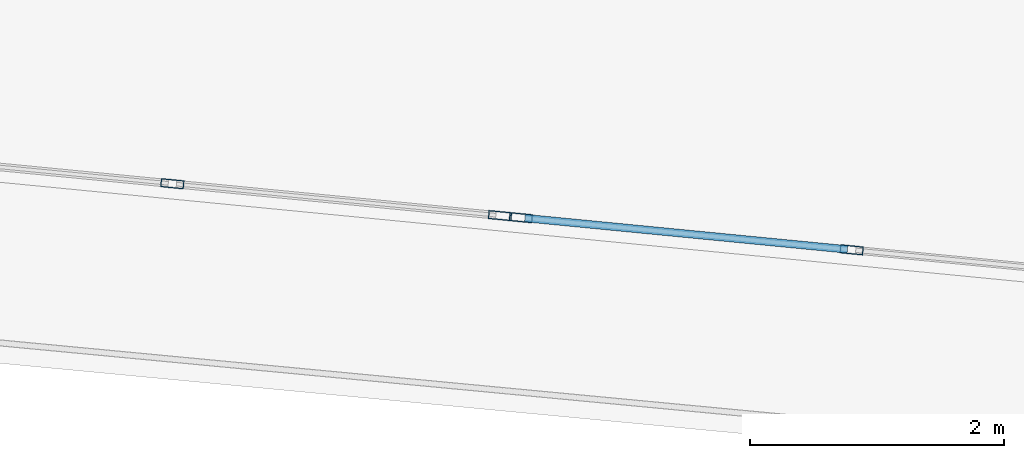
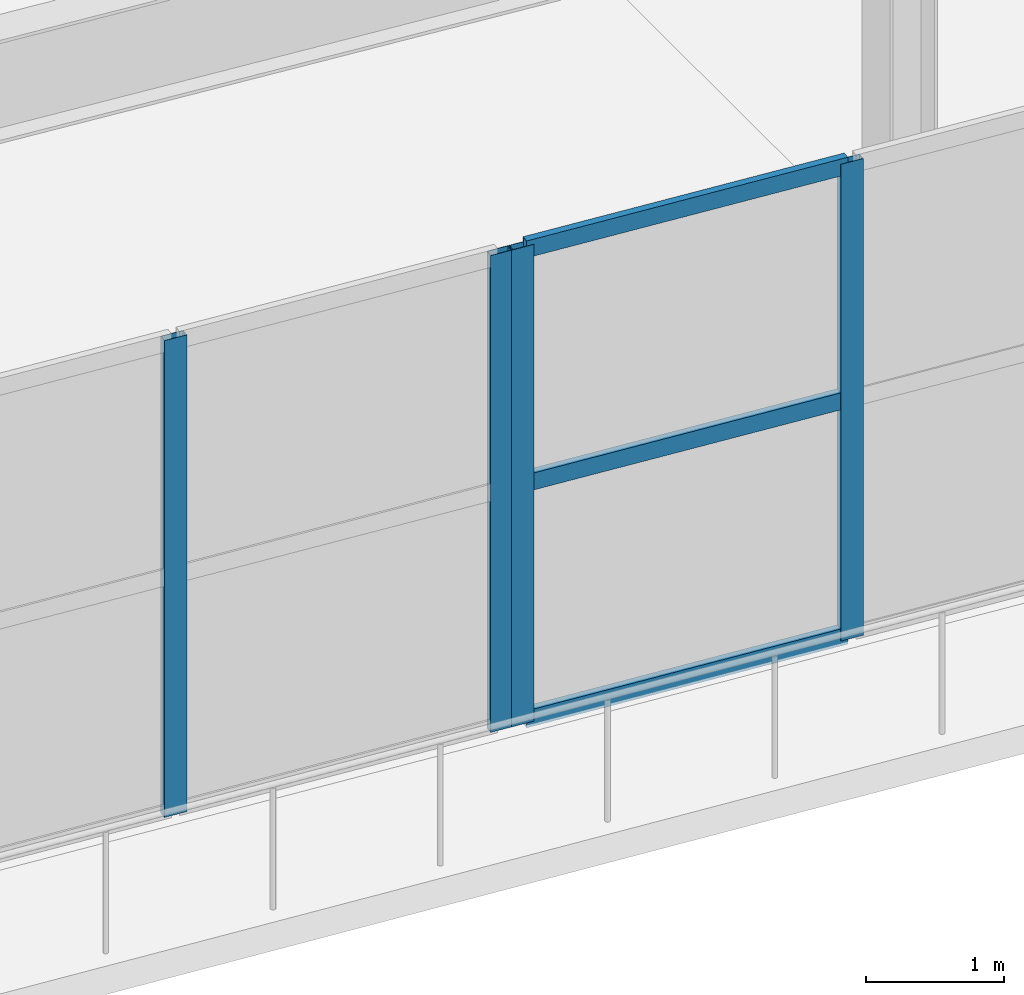
# One storey, part 30 of 123: 7 members, 2 elements without a shape of their own.
"""IFC4 building model written with IfcOpenShell, lengths in metres."""

from ifc_helpers import new_model, si_unit, direction, frame, origin, origin_2d, place, context, subcontext, project, spatial, hollow_rectangle, extrude, material, layer, layer_set, material_profile, profile_set, type_object, element, aggregate, save


model = new_model("IFC4")

# Units and contexts
model_context = context("Model", 3, precision=1e-05, world=origin(), true_north=direction((0.0, 1.0)))
body_context = subcontext(model_context, "Body", "Model", "MODEL_VIEW")
ifc_project = project(units=[si_unit("LENGTHUNIT", "METRE"), si_unit("AREAUNIT", "SQUARE_METRE"), si_unit("VOLUMEUNIT", "CUBIC_METRE"), si_unit("PLANEANGLEUNIT", "RADIAN"), si_unit("MASSUNIT", "GRAM", prefix="KILO")], contexts=[model_context])

# Site, building, storey
site_placement = place(None, origin())
site = spatial("IfcSite", under=ifc_project, at=site_placement, CompositionType="ELEMENT")
building_placement = place(site_placement, origin())
building = spatial("IfcBuilding", under=site, at=building_placement, Name="Kalgoora Escarpment Arena", CompositionType="ELEMENT")
storey_placement = place(building_placement, frame((0.0, 0.0, 9.89990234375)))
storey = spatial("IfcBuildingStorey", under=building, at=storey_placement, Name="L02", CompositionType="ELEMENT", Elevation=9.89990234375)

# Curtain wall, members
ifc_material_1 = material(Name=" Champagne anodised aluminium & double-glazed low-E", Category="aluminium")
ifc_layer_1 = layer(ifc_material_1, 0.162109375)
ifc_layer_set_1 = layer_set([ifc_layer_1], Name="CW-UNIT-08")
curtain_wall_type_1 = type_object("IfcCurtainWallType", Name="CW-UNIT-08", PredefinedType="NOTDEFINED", material=ifc_layer_set_1)
curtain_wall_1_placement = place(storey_placement, origin())
curtain_wall_1 = element("IfcCurtainWall", 1, at=curtain_wall_1_placement, inside=storey, type_object=curtain_wall_type_1, Name="L02 unitised facade curtain wall 047", PredefinedType="NOTDEFINED")
ifc_material_2 = material(Name="Anodised aluminium 6063-T6", Category="aluminium")
ifc_material_profile_1 = material_profile(ifc_material_2, hollow_rectangle(XDim=0.06494140625, YDim=0.179931640625, WallThickness=0.00390625, at=origin_2d()))
ifc_profile_set_1 = profile_set([ifc_material_profile_1], Name="Anodised aluminium 6063-T6")
member_type_1 = type_object("IfcMemberType", Name="MEM-CW-MULL-180", PredefinedType="MULLION", material=ifc_profile_set_1)
member_1_placement = place(storey_placement, frame((89.77734375, 3.17578125, 0.02001953125), z_axis=(0.0, 0.0, 1.0), x_axis=(-0.096853045283, -0.995298692664, 0.0)))
member_1 = element("IfcMember", 2, at=member_1_placement, type_object=member_type_1, Name="CW-08 mullion 2", PredefinedType="MULLION", context=body_context, shape_type="SweptSolid", body=[
    extrude(hollow_rectangle(XDim=0.06494140625, YDim=0.179931640625, WallThickness=0.00390625, at=origin_2d()), origin(), (0.0, 0.0, 1.0), 4.205078125),
])
member_2_placement = place(storey_placement, frame((87.17529296875, 3.428955078125, 0.02001953125), z_axis=(0.0, 0.0, 1.0), x_axis=(-0.096853045283, -0.995298692664, 0.0)))
member_2 = element("IfcMember", 3, at=member_2_placement, type_object=member_type_1, Name="CW-08 mullion 3", PredefinedType="MULLION", context=body_context, shape_type="SweptSolid", body=[
    extrude(hollow_rectangle(XDim=0.06494140625, YDim=0.179931640625, WallThickness=0.00390625, at=origin_2d()), origin(), (0.0, 0.0, 1.0), 4.205078125),
])

ifc_material_3 = material(Name=" Champagne anodised aluminium & double-glazed low-E", Category="aluminium")
ifc_layer_2 = layer(ifc_material_3, 0.166015625)
ifc_layer_set_2 = layer_set([ifc_layer_2], Name="CW-UNIT-09")
curtain_wall_type_2 = type_object("IfcCurtainWallType", Name="CW-UNIT-09", PredefinedType="NOTDEFINED", material=ifc_layer_set_2)
curtain_wall_2_placement = place(storey_placement, origin())
curtain_wall_2 = element("IfcCurtainWall", 4, at=curtain_wall_2_placement, inside=storey, type_object=curtain_wall_type_2, Name="L02 unitised facade curtain wall 048", PredefinedType="NOTDEFINED")
member_3_placement = place(storey_placement, frame((87.010986328125, 3.445068359375, 0.02001953125), z_axis=(0.0, 0.0, 1.0), x_axis=(-0.096859909317, -0.995298024698, 0.0)))
member_3 = element("IfcMember", 5, at=member_3_placement, type_object=member_type_1, Name="CW-09 mullion 1", PredefinedType="MULLION", context=body_context, shape_type="SweptSolid", body=[
    extrude(hollow_rectangle(XDim=0.06494140625, YDim=0.179931640625, WallThickness=0.00390625, at=origin_2d()), origin(), (0.0, 0.0, 1.0), 4.205078125),
])
member_4_placement = place(storey_placement, frame((84.433837890625, 3.69580078125, 0.02001953125), z_axis=(0.0, 0.0, 1.0), x_axis=(-0.096859909317, -0.995298024698, 0.0)))
member_4 = element("IfcMember", 6, at=member_4_placement, type_object=member_type_1, Name="CW-09 mullion 2", PredefinedType="MULLION", context=body_context, shape_type="SweptSolid", body=[
    extrude(hollow_rectangle(XDim=0.06494140625, YDim=0.179931640625, WallThickness=0.00390625, at=origin_2d()), origin(), (0.0, 0.0, 1.0), 4.205078125),
])
aggregate(curtain_wall_2, [member_3, member_4])

# Member
ifc_material_4 = material(Name="Anodised aluminium 6063-T6", Category="aluminium")
ifc_material_profile_2 = material_profile(ifc_material_4, hollow_rectangle(XDim=0.06005859375, YDim=0.14990234375, WallThickness=0.00341796875, at=origin_2d()))
ifc_profile_set_2 = profile_set([ifc_material_profile_2], Name="Anodised aluminium 6063-T6")
member_type_2 = type_object("IfcMemberType", Name="MEM-CW-TRAN-150", PredefinedType="USERDEFINED", material=ifc_profile_set_2)
member_5_placement = place(storey_placement, frame((89.744873046875, 3.178955078125, 0.050048828125), z_axis=(-0.995301908054, 0.096819997021, 0.0), x_axis=(-0.096819997021, -0.995301908054, 0.0)))
member_5 = element("IfcMember", 7, at=member_5_placement, type_object=member_type_2, Name="CW-08 transom 2.1", ObjectType="TRANSOM", PredefinedType="USERDEFINED", context=body_context, shape_type="SweptSolid", body=[
    extrude(hollow_rectangle(XDim=0.06005859375, YDim=0.14990234375, WallThickness=0.00341796875, at=origin_2d()), origin(), (0.0, 0.0, 1.0), 2.54931640625),
])

member_6_placement = place(storey_placement, frame((89.744873046875, 3.178955078125, 2.132568359375), z_axis=(-0.995301908054, 0.096819997021, 0.0), x_axis=(-0.096819997021, -0.995301908054, 0.0)))
member_6 = element("IfcMember", 8, at=member_6_placement, type_object=member_type_2, Name="CW-08 transom 2.2", ObjectType="TRANSOM", PredefinedType="USERDEFINED", context=body_context, shape_type="SweptSolid", body=[
    extrude(hollow_rectangle(XDim=0.06005859375, YDim=0.14990234375, WallThickness=0.00341796875, at=origin_2d()), origin(), (0.0, 0.0, 1.0), 2.54931640625),
])

member_7_placement = place(storey_placement, frame((89.744873046875, 3.178955078125, 4.195068359375), z_axis=(-0.995301908054, 0.096819997021, 0.0), x_axis=(-0.096819997021, -0.995301908054, 0.0)))
member_7 = element("IfcMember", 9, at=member_7_placement, type_object=member_type_2, Name="CW-08 transom 2.3", ObjectType="TRANSOM", PredefinedType="USERDEFINED", context=body_context, shape_type="SweptSolid", body=[
    extrude(hollow_rectangle(XDim=0.06005859375, YDim=0.14990234375, WallThickness=0.00341796875, at=origin_2d()), origin(), (0.0, 0.0, 1.0), 2.54931640625),
])

aggregate(curtain_wall_1, [member_1, member_2, member_5, member_6, member_7])

save(model, "model.ifc")
